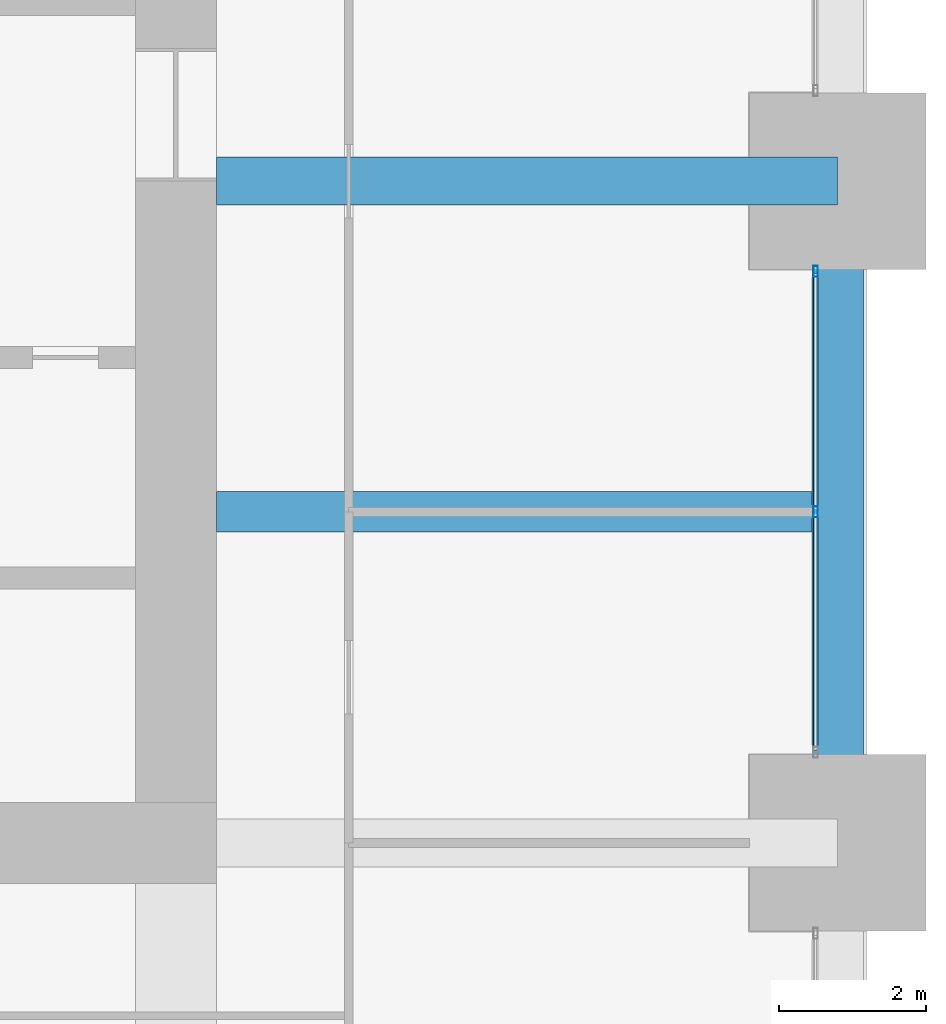
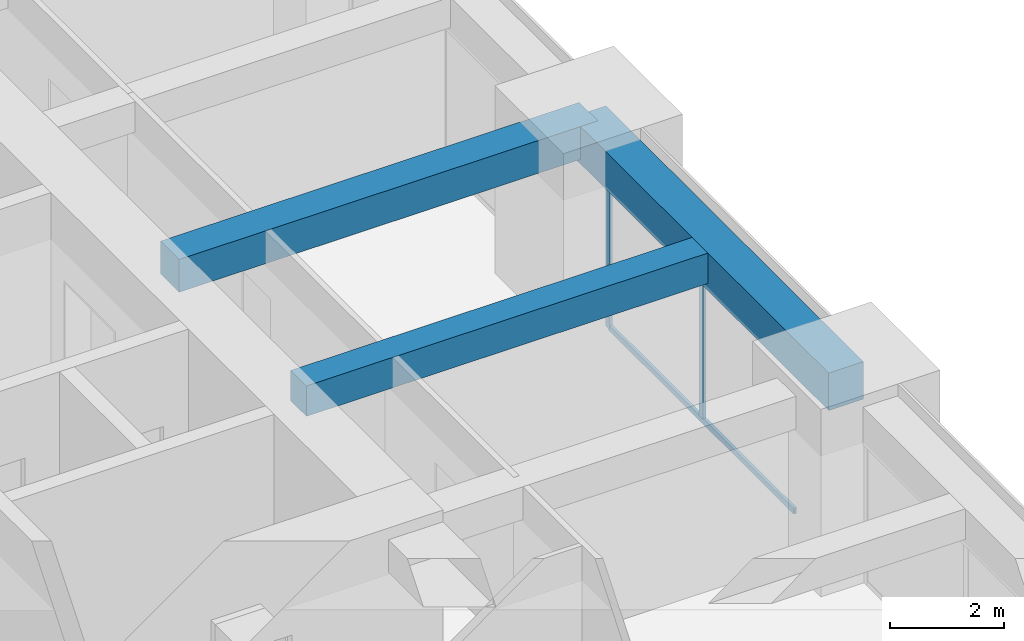
# One storey, part 18 of 32: 3 beams, 3 members, 1 element without a shape of its own.
"""IFC4 building model written with IfcOpenShell, lengths in metres."""

from ifc_helpers import new_model, si_unit, direction, frame, origin, origin_2d, place, context, subcontext, project, spatial, rectangle, hollow_rectangle, extrude, material, material_profile, profile_set, type_object, element, aggregate, save


model = new_model("IFC4")

# Units and contexts
model_context = context("Model", 3, precision=1e-05, world=origin(), true_north=direction((0.0, 1.0)))
body_context = subcontext(model_context, "Body", "Model", "MODEL_VIEW")
ifc_project = project(units=[si_unit("LENGTHUNIT", "METRE"), si_unit("AREAUNIT", "SQUARE_METRE"), si_unit("VOLUMEUNIT", "CUBIC_METRE"), si_unit("PLANEANGLEUNIT", "RADIAN"), si_unit("MASSUNIT", "GRAM", prefix="KILO")], contexts=[model_context])

# Site, building, storey
site_placement = place(None, origin())
site = spatial("IfcSite", under=ifc_project, at=site_placement, CompositionType="ELEMENT")
building_placement = place(site_placement, origin())
building = spatial("IfcBuilding", under=site, at=building_placement, Name="Zorevar Civic Tower", CompositionType="ELEMENT")
storey_placement = place(building_placement, frame((0.0, 0.0, 182.199951171875)))
storey = spatial("IfcBuildingStorey", under=building, at=storey_placement, Name="L44", CompositionType="ELEMENT", Elevation=182.199951171875)

# Beams
ifc_material_1 = material(Name="Concrete C50/60", Category="concrete")
ifc_material_profile_1 = material_profile(ifc_material_1, rectangle(XDim=0.550048828125, YDim=0.64990234375, at=origin_2d()), Name="RC 550x650")
ifc_profile_set_1 = profile_set([ifc_material_profile_1], Name="Concrete C50/60")
beam_type_1 = type_object("IfcBeamType", Name="Beam RC 550x650", PredefinedType="BEAM", material=ifc_profile_set_1)
beam_1_placement = place(storey_placement, frame((45.550048828125, 22.5, 3.425048828125), z_axis=(1.0, 0.0, 0.0), x_axis=(0.0, 1.0, 0.0)))
element("IfcBeam", 1, at=beam_1_placement, inside=storey, type_object=beam_type_1, Name="Secondary beam L45", PredefinedType="BEAM", context=body_context, shape_type="SweptSolid", body=[
    extrude(rectangle(XDim=0.550048828125, YDim=0.64990234375, at=origin_2d()), origin(), (0.0, 0.0, 1.0), 8.099853515625),
])
ifc_material_2 = material(Name="Concrete C50/60", Category="concrete")
ifc_material_profile_2 = material_profile(ifc_material_2, rectangle(XDim=0.64990234375, YDim=0.699951171875, at=origin_2d()), Name="RC 650x700")
ifc_profile_set_2 = profile_set([ifc_material_profile_2], Name="Concrete C50/60")
beam_type_2 = type_object("IfcBeamType", Name="Beam RC 650x700", PredefinedType="BEAM", material=ifc_profile_set_2)
beam_2_placement = place(storey_placement, frame((45.550048828125, 27.0, 3.400146484375), z_axis=(1.0, 0.0, 0.0), x_axis=(0.0, 1.0, 0.0)))
element("IfcBeam", 2, at=beam_2_placement, inside=storey, type_object=beam_type_2, Name="Girder L45", PredefinedType="BEAM", context=body_context, shape_type="SweptSolid", body=[
    extrude(rectangle(XDim=0.64990234375, YDim=0.699951171875, at=origin_2d()), origin(), (0.0, 0.0, 1.0), 8.449951171875),
])

# Curtain wall, members
ifc_material_3 = material(Name="Dark grey solar-control glass in black aluminium frame", Category="aluminium")
curtain_wall_type = type_object("IfcCurtainWallType", Name="Curtain wall CW4 high zone", PredefinedType="NOTDEFINED", material=ifc_material_3)
curtain_wall_placement = place(storey_placement, origin())
curtain_wall = element("IfcCurtainWall", 3, at=curtain_wall_placement, inside=storey, type_object=curtain_wall_type, Name="CW4 L44", PredefinedType="NOTDEFINED")
ifc_material_4 = material(Name="Aluminium, black anodised", Category="aluminium")
ifc_material_profile_3 = material_profile(ifc_material_4, hollow_rectangle(XDim=0.06005859375, YDim=0.14990234375, WallThickness=0.00390625, at=origin_2d()), Name="AL 150x60x4")
ifc_profile_set_3 = profile_set([ifc_material_profile_3], Name="Aluminium, black anodised")
member_type_1 = type_object("IfcMemberType", Name="CW4 mullion AL 150x60x4", PredefinedType="MULLION", material=ifc_profile_set_3)
member_1_placement = place(storey_placement, frame((53.699951171875, 22.5, 0.06005859375), z_axis=(0.0, 0.0, 1.0), x_axis=(-1.0, 0.0, 0.0)))
member_1 = element("IfcMember", 4, at=member_1_placement, type_object=member_type_1, Name="CW4 mullion 2", PredefinedType="MULLION", context=body_context, shape_type="SweptSolid", body=[
    extrude(hollow_rectangle(XDim=0.06005859375, YDim=0.14990234375, WallThickness=0.00390625, at=origin_2d()), origin(), (0.0, 0.0, 1.0), 2.889892578125),
])
member_2_placement = place(storey_placement, frame((53.699951171875, 25.77001953125, 0.0), z_axis=(0.0, 0.0, 1.0), x_axis=(-1.0, 0.0, 0.0)))
member_2 = element("IfcMember", 5, at=member_2_placement, type_object=member_type_1, Name="CW4 mullion 3", PredefinedType="MULLION", context=body_context, shape_type="SweptSolid", body=[
    extrude(hollow_rectangle(XDim=0.06005859375, YDim=0.14990234375, WallThickness=0.00390625, at=origin_2d()), origin(), (0.0, 0.0, 1.0), 2.949951171875),
])
ifc_material_5 = material(Name="Aluminium, black anodised", Category="aluminium")
ifc_material_profile_4 = material_profile(ifc_material_5, hollow_rectangle(XDim=0.06005859375, YDim=0.1201171875, WallThickness=0.0029296875, at=origin_2d()), Name="AL 120x60x3")
ifc_profile_set_4 = profile_set([ifc_material_profile_4], Name="Aluminium, black anodised")
member_type_2 = type_object("IfcMemberType", Name="CW4 transom AL 120x60x3", PredefinedType="USERDEFINED", material=ifc_profile_set_4)
member_3_placement = place(storey_placement, frame((53.699951171875, 19.260009765625, 0.030029296875), z_axis=(0.0, 1.0, 0.0), x_axis=(-1.0, 0.0, 0.0)))
member_3 = element("IfcMember", 6, at=member_3_placement, type_object=member_type_2, Name="CW4 sill transom", ObjectType="TRANSOM", PredefinedType="USERDEFINED", context=body_context, shape_type="SweptSolid", body=[
    extrude(hollow_rectangle(XDim=0.06005859375, YDim=0.1201171875, WallThickness=0.0029296875, at=origin_2d()), origin(), (0.0, 0.0, 1.0), 6.47998046875),
])
aggregate(curtain_wall, [member_1, member_2, member_3])

# Beam
ifc_material_6 = material(Name="Concrete C50/60", Category="concrete")
ifc_material_profile_5 = material_profile(ifc_material_6, rectangle(XDim=0.699951171875, YDim=0.800048828125, at=origin_2d()), Name="RC 700x800")
ifc_profile_set_5 = profile_set([ifc_material_profile_5], Name="Concrete C50/60")
beam_type_3 = type_object("IfcBeamType", Name="Edge beam RC 700x800", PredefinedType="SPANDREL", material=ifc_profile_set_5)
beam_3_placement = place(storey_placement, frame((54.0, 18.0, 3.35009765625), z_axis=(0.0, 1.0, 0.0), x_axis=(-1.0, 0.0, 0.0)))
element("IfcBeam", 7, at=beam_3_placement, inside=storey, type_object=beam_type_3, Name="Edge beam L45", PredefinedType="SPANDREL", context=body_context, shape_type="SweptSolid", body=[
    extrude(rectangle(XDim=0.699951171875, YDim=0.800048828125, at=origin_2d()), origin(), (0.0, 0.0, 1.0), 9.0),
])

save(model, "model.ifc")
